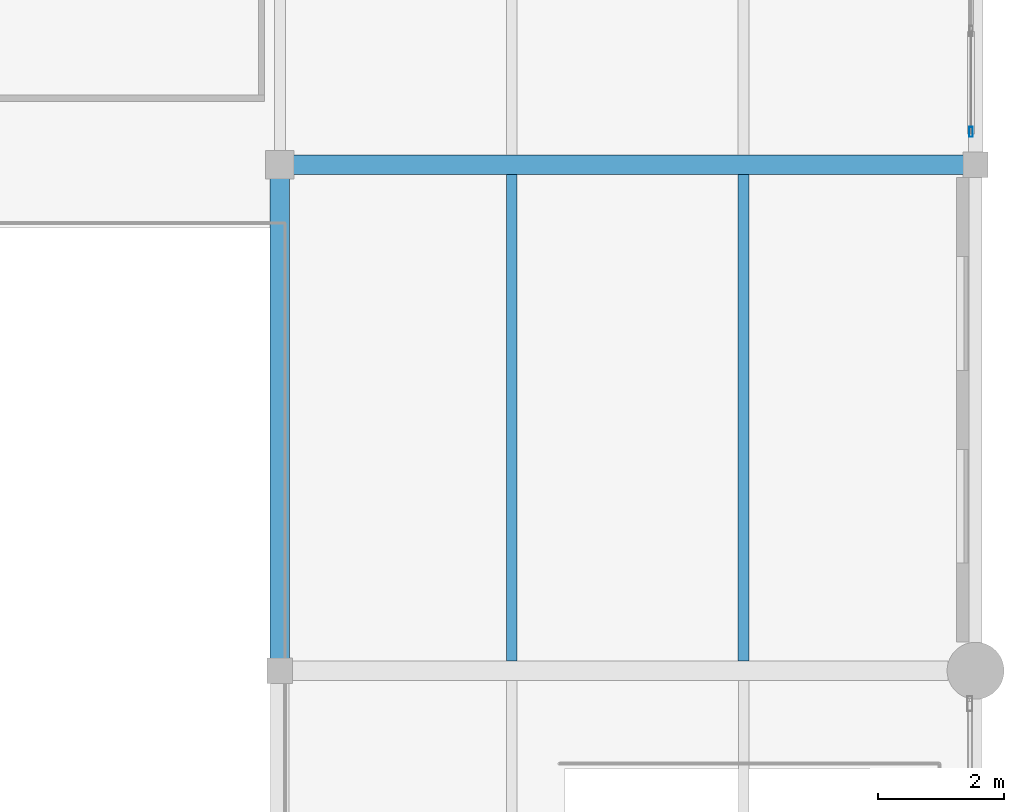
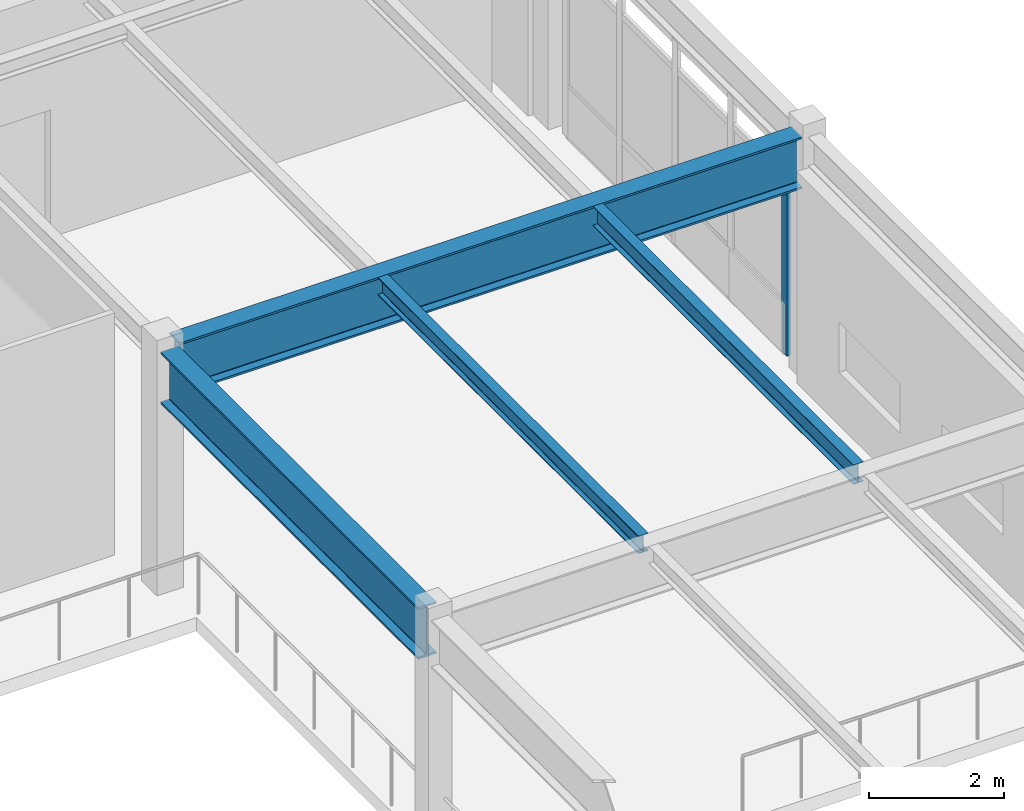
# One storey, part 105 of 168: 4 beams, 1 member, 1 element without a shape of its own.
"""IFC4 building model written with IfcOpenShell, lengths in metres."""

from ifc_helpers import new_model, si_unit, direction, frame, origin, origin_2d, place, context, subcontext, project, spatial, hollow_rectangle, i_section, extrude, material, material_profile, profile_set, type_object, element, aggregate, save


model = new_model("IFC4")

# Units and contexts
model_context = context("Model", 3, precision=1e-05, world=origin(), true_north=direction((0.0, 1.0)))
body_context = subcontext(model_context, "Body", "Model", "MODEL_VIEW")
ifc_project = project(units=[si_unit("LENGTHUNIT", "METRE"), si_unit("AREAUNIT", "SQUARE_METRE"), si_unit("VOLUMEUNIT", "CUBIC_METRE"), si_unit("PLANEANGLEUNIT", "RADIAN"), si_unit("MASSUNIT", "GRAM", prefix="KILO"), si_unit("THERMODYNAMICTEMPERATUREUNIT", "KELVIN"), si_unit("POWERUNIT", "WATT")], contexts=[model_context])

# Site, building, storey
site_placement = place(None, origin())
site = spatial("IfcSite", under=ifc_project, at=site_placement, CompositionType="ELEMENT")
building_placement = place(site_placement, origin())
building = spatial("IfcBuilding", under=site, at=building_placement, Name="Tepalcoro Natatorium and Aquatics Centre", CompositionType="ELEMENT")
storey_placement = place(building_placement, frame((0.0, 0.0, 10.199951171875)))
storey = spatial("IfcBuildingStorey", under=building, at=storey_placement, Name="L02", CompositionType="ELEMENT", Elevation=10.199951171875)

# Beams
ifc_material_1 = material(Name="Steel ASTM A992 Grade 50 (Fy 345 MPa)", Category="steel")
ifc_material_profile_1 = material_profile(ifc_material_1, i_section(OverallWidth=0.31005859375, OverallDepth=0.931884765625, WebThickness=0.02099609375, FlangeThickness=0.034912109375, FilletRadius=0.013916015625, at=origin_2d()), Name="W36X210")
ifc_profile_set_1 = profile_set([ifc_material_profile_1], Name="Steel ASTM A992 Grade 50 (Fy 345 MPa)")
beam_type_1 = type_object("IfcBeamType", Name="BM_W36x210", PredefinedType="BEAM", material=ifc_profile_set_1)
beam_1_placement = place(storey_placement, frame((165.2099609375, 44.0, 3.899169921875), z_axis=(1.0, 0.0, 0.0), x_axis=(0.0, 1.0, 0.0)))
element("IfcBeam", 1, at=beam_1_placement, inside=storey, type_object=beam_type_1, Name="V2 L02 Grid Girder X", PredefinedType="BEAM", context=body_context, shape_type="SweptSolid", body=[
    extrude(i_section(OverallWidth=0.31005859375, OverallDepth=0.931884765625, WebThickness=0.02099609375, FlangeThickness=0.034912109375, FilletRadius=0.013916015625, at=origin_2d()), origin(), (0.0, 0.0, 1.0), 10.60498046875),
])
beam_2_placement = place(storey_placement, frame((165.0, 36.18505859375, 3.899169921875), z_axis=(0.0, 1.0, 0.0), x_axis=(-1.0, 0.0, 0.0)))
element("IfcBeam", 2, at=beam_2_placement, inside=storey, type_object=beam_type_1, Name="V2 L02 Grid Girder Y", PredefinedType="BEAM", context=body_context, shape_type="SweptSolid", body=[
    extrude(i_section(OverallWidth=0.31005859375, OverallDepth=0.931884765625, WebThickness=0.02099609375, FlangeThickness=0.034912109375, FilletRadius=0.013916015625, at=origin_2d()), origin(), (0.0, 0.0, 1.0), 7.60498046875),
])

# Curtain wall, member
ifc_material_2 = material(Name="Bronze-Anodised Extruded Aluminium Alloy EN AW-6063 T6", Category="aluminium")
curtain_wall_type = type_object("IfcCurtainWallType", Name="CW_V3_FOYER", PredefinedType="USERDEFINED", material=ifc_material_2)
curtain_wall_placement = place(storey_placement, origin())
curtain_wall = element("IfcCurtainWall", 3, at=curtain_wall_placement, inside=storey, type_object=curtain_wall_type, Name="V2 L02 E Unitised Curtain Wall Bay 6", ObjectType="UNITISED STOREFRONT", PredefinedType="USERDEFINED")
ifc_material_profile_2 = material_profile(ifc_material_2, hollow_rectangle(XDim=0.06005859375, YDim=0.159912109375, WallThickness=0.00390625, at=origin_2d()), Name="AL60X160X4")
ifc_profile_set_2 = profile_set([ifc_material_profile_2], Name="Bronze-Anodised Extruded Aluminium Alloy EN AW-6063 T6")
member_type = type_object("IfcMemberType", Name="CW_MUL_60x160", PredefinedType="MULLION", material=ifc_profile_set_2)
member_placement = place(storey_placement, frame((175.9287109375, 44.52001953125, 0.02001953125), z_axis=(0.0, 0.0, 1.0), x_axis=(1.0, 0.0, 0.0)))
member = element("IfcMember", 4, at=member_placement, type_object=member_type, Name="CW_V3_FOYER Curtain Wall Mullion", PredefinedType="MULLION", context=body_context, shape_type="SweptSolid", body=[
    extrude(hollow_rectangle(XDim=0.06005859375, YDim=0.159912109375, WallThickness=0.00390625, at=origin_2d()), origin(), (0.0, 0.0, 1.0), 3.697998046875),
])
aggregate(curtain_wall, [member])

# Beams
ifc_material_profile_3 = material_profile(ifc_material_1, i_section(OverallWidth=0.1669921875, OverallDepth=0.318115234375, WebThickness=0.008056640625, FlangeThickness=0.012939453125, FilletRadius=0.013916015625, at=origin_2d()), Name="W12X35")
ifc_profile_set_3 = profile_set([ifc_material_profile_3], Name="Steel ASTM A992 Grade 50 (Fy 345 MPa)")
beam_type_2 = type_object("IfcBeamType", Name="JS_W12x35", PredefinedType="JOIST", material=ifc_profile_set_3)
beam_3_placement = place(storey_placement, frame((168.666748046875, 36.152587890625, 4.2060546875), z_axis=(0.0, 1.0, 0.0), x_axis=(-1.0, 0.0, 0.0)))
element("IfcBeam", 5, at=beam_3_placement, inside=storey, type_object=beam_type_2, Name="V2 L02 Floor Joist", PredefinedType="JOIST", context=body_context, shape_type="SweptSolid", body=[
    extrude(i_section(OverallWidth=0.1669921875, OverallDepth=0.318115234375, WebThickness=0.008056640625, FlangeThickness=0.012939453125, FilletRadius=0.013916015625, at=origin_2d()), origin(), (0.0, 0.0, 1.0), 7.6923828125),
])
ifc_material_profile_4 = material_profile(ifc_material_1, i_section(OverallWidth=0.1708984375, OverallDepth=0.35107421875, WebThickness=0.007080078125, FlangeThickness=0.010009765625, FilletRadius=0.013916015625, at=origin_2d()), Name="W14X30")
ifc_profile_set_4 = profile_set([ifc_material_profile_4], Name="Steel ASTM A992 Grade 50 (Fy 345 MPa)")
beam_type_3 = type_object("IfcBeamType", Name="JS_W14x30", PredefinedType="JOIST", material=ifc_profile_set_4)
beam_4_placement = place(storey_placement, frame((172.333251953125, 36.152587890625, 4.189453125), z_axis=(0.0, 1.0, 0.0), x_axis=(-1.0, 0.0, 0.0)))
element("IfcBeam", 6, at=beam_4_placement, inside=storey, type_object=beam_type_3, Name="V2 L02 Floor Joist", PredefinedType="JOIST", context=body_context, shape_type="SweptSolid", body=[
    extrude(i_section(OverallWidth=0.1708984375, OverallDepth=0.35107421875, WebThickness=0.007080078125, FlangeThickness=0.010009765625, FilletRadius=0.013916015625, at=origin_2d()), origin(), (0.0, 0.0, 1.0), 7.6923828125),
])

save(model, "model.ifc")
